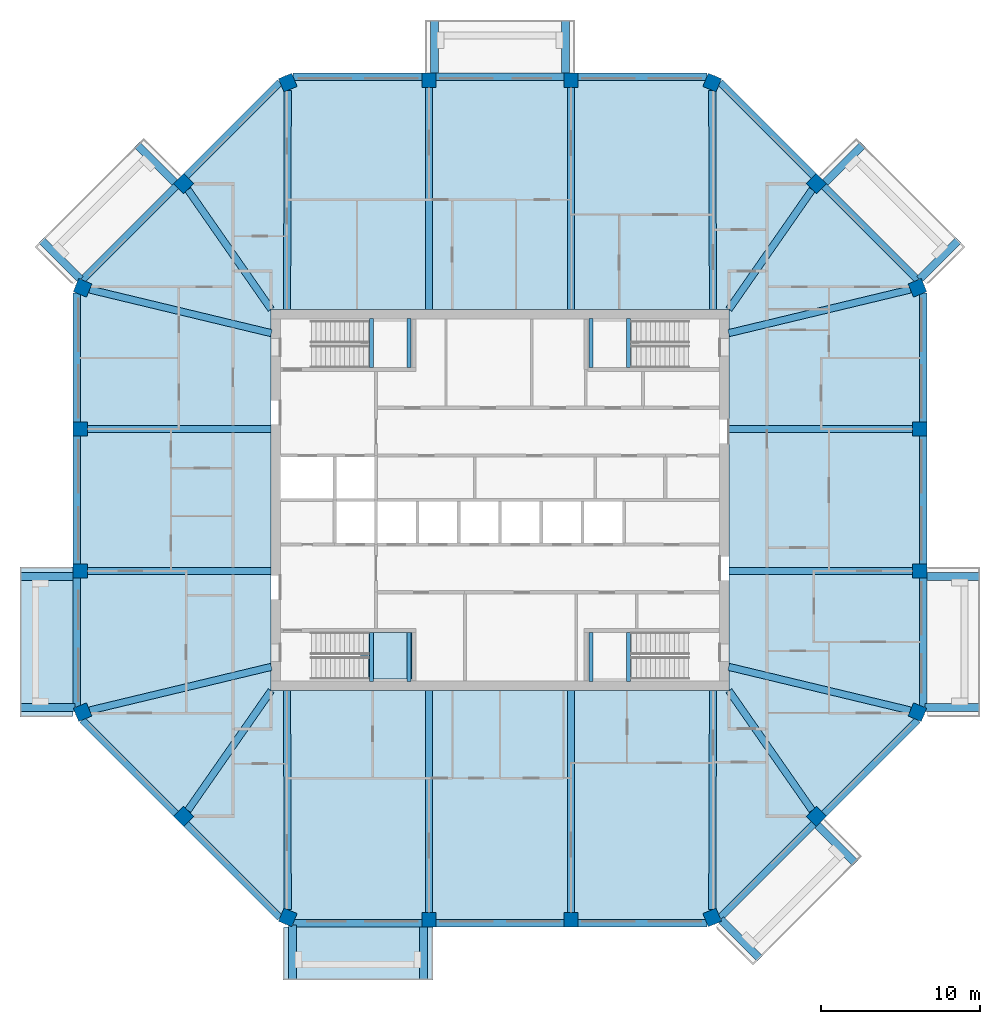
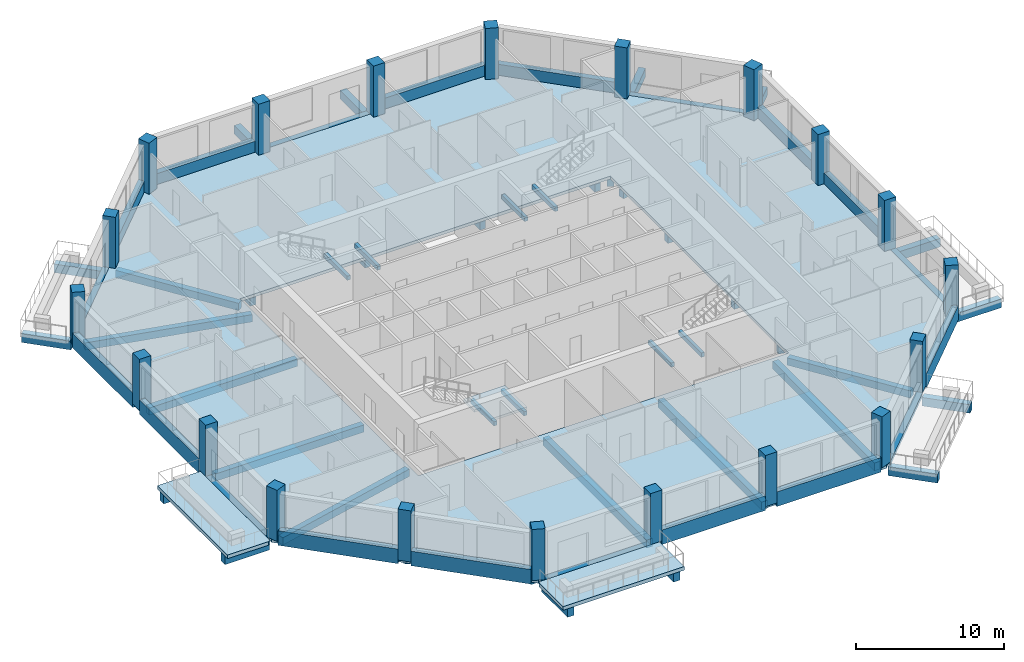
# One storey, part 1 of 11: 62 beams, 20 columns, 4 slabs, 1 element without a shape of its own.
"""IFC4 building model written with IfcOpenShell, lengths in metres."""

from ifc_helpers import new_model, si_unit, direction, frame, origin, origin_2d, place, context, subcontext, project, spatial, polyline, rectangle, outline, extrude, material, layer, layer_set, material_profile, profile_set, type_object, element, aggregate, save


model = new_model("IFC4")

# Units and contexts
model_context = context("Model", 3, precision=1e-05, world=origin(), true_north=direction((0.0, 1.0)))
body_context = subcontext(model_context, "Body", "Model", "MODEL_VIEW")
ifc_project = project(units=[si_unit("LENGTHUNIT", "METRE"), si_unit("AREAUNIT", "SQUARE_METRE"), si_unit("VOLUMEUNIT", "CUBIC_METRE"), si_unit("PLANEANGLEUNIT", "RADIAN"), si_unit("MASSUNIT", "GRAM", prefix="KILO")], contexts=[model_context])

# Site, building, storey
site_placement = place(None, origin())
site = spatial("IfcSite", under=ifc_project, at=site_placement, CompositionType="ELEMENT")
building_placement = place(site_placement, origin())
building = spatial("IfcBuilding", under=site, at=building_placement, Name="Msitu Wima Residences", CompositionType="ELEMENT")
storey_placement = place(building_placement, frame((0.0, 0.0, 293.699951171875)))
storey = spatial("IfcBuildingStorey", under=building, at=storey_placement, Name="L68", CompositionType="ELEMENT", Elevation=293.699951171875)

# Columns
ifc_material_1 = material(Name="Concrete C50/60", Category="concrete")
ifc_material_profile_1 = material_profile(ifc_material_1, rectangle(XDim=0.89990234375, YDim=0.89990234375, at=origin_2d()), Name="RC 900x900")
ifc_profile_set_1 = profile_set([ifc_material_profile_1], Name="Concrete C50/60")
column_type = type_object("IfcColumnType", Name="Column RC 900x900 Concrete C50/60", PredefinedType="COLUMN", material=ifc_profile_set_1)
for number, where, z_axis, x_axis, name in (
    (1, (26.261962890625, -13.3486328125, 0.0), (0.0, 0.0, 1.0), (0.382683496864, 0.923879505795, 0.0), "Column L68 C-E0"),
    (2, (26.39990234375, -4.46875, 0.0), (0.0, 0.0, 1.0), (0.0, 1.0, 0.0), "Column L68 C-E1"),
    (3, (26.39990234375, 4.46875, 0.0), (0.0, 0.0, 1.0), (0.0, 1.0, 0.0), "Column L68 C-E2"),
    (4, (26.261962890625, 13.3486328125, 0.0), (0.0, 0.0, 1.0), (-0.382683496864, 0.923879505795, 0.0), "Column L68 C-NE0"),
    (5, (19.90283203125, 19.90283203125, 0.0), (0.0, 0.0, 1.0), (-0.707106781187, 0.707106781187, 0.0), "Column L68 C-NE1"),
    (6, (13.3486328125, 26.261962890625, 0.0), (0.0, 0.0, 1.0), (-0.923879505795, 0.382683496864, 0.0), "Column L68 C-N0"),
    (7, (4.46875, 26.39990234375, 0.0), (0.0, 0.0, 1.0), (-1.0, 0.0, 0.0), "Column L68 C-N1"),
    (8, (-4.46875, 26.39990234375, 0.0), (0.0, 0.0, 1.0), (-1.0, 0.0, 0.0), "Column L68 C-N2"),
    (9, (-13.3486328125, 26.261962890625, 0.0), (0.0, 0.0, 1.0), (-0.923879505795, -0.382683496864, 0.0), "Column L68 C-NW0"),
    (10, (-19.90283203125, 19.90283203125, 0.0), (0.0, 0.0, 1.0), (-0.707106781187, -0.707106781187, 0.0), "Column L68 C-NW1"),
    (11, (-26.261962890625, 13.3486328125, 0.0), (0.0, 0.0, 1.0), (-0.382683496864, -0.923879505795, 0.0), "Column L68 C-W0"),
    (12, (-26.39990234375, 4.46875, 0.0), (0.0, 0.0, 1.0), (0.0, -1.0, 0.0), "Column L68 C-W1"),
    (13, (-26.39990234375, -4.46875, 0.0), (0.0, 0.0, 1.0), (0.0, -1.0, 0.0), "Column L68 C-W2"),
    (14, (-26.261962890625, -13.3486328125, 0.0), (0.0, 0.0, 1.0), (0.382683496864, -0.923879505795, 0.0), "Column L68 C-SW0"),
    (15, (-19.90283203125, -19.90283203125, 0.0), (0.0, 0.0, 1.0), (0.707106781187, -0.707106781187, 0.0), "Column L68 C-SW1"),
    (16, (-13.3486328125, -26.261962890625, 0.0), (0.0, 0.0, 1.0), (0.923879505795, -0.382683496864, 0.0), "Column L68 C-S0"),
    (17, (-4.46875, -26.39990234375, 0.0), (0.0, 0.0, 1.0), (1.0, 0.0, 0.0), "Column L68 C-S1"),
    (18, (4.46875, -26.39990234375, 0.0), (0.0, 0.0, 1.0), (1.0, 0.0, 0.0), "Column L68 C-S2"),
    (19, (13.3486328125, -26.261962890625, 0.0), (0.0, 0.0, 1.0), (0.923879505795, 0.382683496864, 0.0), "Column L68 C-SE0"),
    (20, (19.90283203125, -19.90283203125, 0.0), (0.0, 0.0, 1.0), (0.707106781187, 0.707106781187, 0.0), "Column L68 C-SE1"),
):
    element("IfcColumn", number, at=place(storey_placement, frame(where, z_axis=z_axis, x_axis=x_axis)), inside=storey, type_object=column_type, Name=name, PredefinedType="COLUMN", context=body_context, shape_type="SweptSolid", body=[
        extrude(rectangle(XDim=0.89990234375, YDim=0.89990234375, at=origin_2d()), origin(), (0.0, 0.0, 1.0), 4.199951171875),
    ])

# Beams
ifc_material_profile_2 = material_profile(ifc_material_1, rectangle(XDim=0.449951171875, YDim=0.60009765625, at=origin_2d()), Name="RC 450x600")
ifc_profile_set_2 = profile_set([ifc_material_profile_2], Name="Concrete C50/60")
beam_type_1 = type_object("IfcBeamType", Name="Beam RC 450x600 Concrete C50/60", PredefinedType="BEAM", material=ifc_profile_set_2)
beam_1_placement = place(storey_placement, frame((25.819091796875, -13.242431640625, -0.550048828125), z_axis=(-0.972353359268, 0.233514335148, 0.0), x_axis=(-0.233514335148, -0.972353359268, 0.0)))
element("IfcBeam", 21, at=beam_1_placement, inside=storey, type_object=beam_type_1, Name="Beam L68 C-E0", PredefinedType="BEAM", context=body_context, shape_type="SweptSolid", body=[
    extrude(rectangle(XDim=0.449951171875, YDim=0.60009765625, at=origin_2d()), origin(), (0.0, 0.0, 1.0), 11.755615234375),
])
for number, where, z_axis, x_axis, name in (
    (22, (25.949951171875, -4.46875, -0.550048828125), (-1.0, 0.0, 0.0), (0.0, -1.0, 0.0), "Beam L68 C-E1"),
    (23, (25.949951171875, 4.46875, -0.550048828125), (-1.0, 0.0, 0.0), (0.0, -1.0, 0.0), "Beam L68 C-E2"),
):
    element("IfcBeam", number, at=place(storey_placement, frame(where, z_axis=z_axis, x_axis=x_axis)), inside=storey, type_object=beam_type_1, Name=name, PredefinedType="BEAM", context=body_context, shape_type="SweptSolid", body=[
        extrude(rectangle(XDim=0.449951171875, YDim=0.60009765625, at=origin_2d()), origin(), (0.0, 0.0, 1.0), 11.550048828125),
    ])
beam_2_placement = place(storey_placement, frame((25.819091796875, 13.242431640625, -0.550048828125), z_axis=(-0.972353359268, -0.233514335148, 0.0), x_axis=(0.233514335148, -0.972353359268, 0.0)))
element("IfcBeam", 24, at=beam_2_placement, inside=storey, type_object=beam_type_1, Name="Beam L68 C-NE0", PredefinedType="BEAM", context=body_context, shape_type="SweptSolid", body=[
    extrude(rectangle(XDim=0.449951171875, YDim=0.60009765625, at=origin_2d()), origin(), (0.0, 0.0, 1.0), 11.755615234375),
])
for number, where, z_axis, x_axis, name in (
    (25, (19.6416015625, 19.52783203125, -0.550048828125), (-0.571427822633, -0.820652328042, 0.0), (0.820652328042, -0.571427822633, 0.0), "Beam L68 C-NE1"),
    (26, (-19.6416015625, 19.52783203125, -0.550048828125), (0.571427822633, -0.820652328042, 0.0), (0.820652328042, 0.571427822633, 0.0), "Beam L68 C-NW1"),
):
    element("IfcBeam", number, at=place(storey_placement, frame(where, z_axis=z_axis, x_axis=x_axis)), inside=storey, type_object=beam_type_1, Name=name, PredefinedType="BEAM", context=body_context, shape_type="SweptSolid", body=[
        extrude(rectangle(XDim=0.449951171875, YDim=0.60009765625, at=origin_2d()), origin(), (0.0, 0.0, 1.0), 9.173095703125),
    ])
beam_3_placement = place(storey_placement, frame((-25.819091796875, 13.242431640625, -0.550048828125), z_axis=(0.972353359268, -0.233514335148, 0.0), x_axis=(0.233514335148, 0.972353359268, 0.0)))
element("IfcBeam", 27, at=beam_3_placement, inside=storey, type_object=beam_type_1, Name="Beam L68 C-W0", PredefinedType="BEAM", context=body_context, shape_type="SweptSolid", body=[
    extrude(rectangle(XDim=0.449951171875, YDim=0.60009765625, at=origin_2d()), origin(), (0.0, 0.0, 1.0), 11.755615234375),
])
for number, where, z_axis, x_axis, name in (
    (28, (-25.949951171875, 4.46875, -0.550048828125), (1.0, 0.0, 0.0), (0.0, 1.0, 0.0), "Beam L68 C-W1"),
    (29, (-25.949951171875, -4.46875, -0.550048828125), (1.0, 0.0, 0.0), (0.0, 1.0, 0.0), "Beam L68 C-W2"),
):
    element("IfcBeam", number, at=place(storey_placement, frame(where, z_axis=z_axis, x_axis=x_axis)), inside=storey, type_object=beam_type_1, Name=name, PredefinedType="BEAM", context=body_context, shape_type="SweptSolid", body=[
        extrude(rectangle(XDim=0.449951171875, YDim=0.60009765625, at=origin_2d()), origin(), (0.0, 0.0, 1.0), 11.550048828125),
    ])
beam_4_placement = place(storey_placement, frame((-25.819091796875, -13.242431640625, -0.550048828125), z_axis=(0.972353359268, 0.233514335148, 0.0), x_axis=(-0.233514335148, 0.972353359268, 0.0)))
element("IfcBeam", 30, at=beam_4_placement, inside=storey, type_object=beam_type_1, Name="Beam L68 C-SW0", PredefinedType="BEAM", context=body_context, shape_type="SweptSolid", body=[
    extrude(rectangle(XDim=0.449951171875, YDim=0.60009765625, at=origin_2d()), origin(), (0.0, 0.0, 1.0), 11.755615234375),
])
for number, where, z_axis, x_axis, name in (
    (31, (-19.6416015625, -19.52783203125, -0.550048828125), (0.571427822633, 0.820652328042, 0.0), (-0.820652328042, 0.571427822633, 0.0), "Beam L68 C-SW1"),
    (32, (19.6416015625, -19.52783203125, -0.550048828125), (-0.571427822633, 0.820652328042, 0.0), (-0.820652328042, -0.571427822633, 0.0), "Beam L68 C-SE1"),
):
    element("IfcBeam", number, at=place(storey_placement, frame(where, z_axis=z_axis, x_axis=x_axis)), inside=storey, type_object=beam_type_1, Name=name, PredefinedType="BEAM", context=body_context, shape_type="SweptSolid", body=[
        extrude(rectangle(XDim=0.449951171875, YDim=0.60009765625, at=origin_2d()), origin(), (0.0, 0.0, 1.0), 9.173095703125),
    ])
ifc_material_profile_3 = material_profile(ifc_material_1, rectangle(XDim=0.449951171875, YDim=0.64990234375, at=origin_2d()), Name="RC 450x650")
ifc_profile_set_3 = profile_set([ifc_material_profile_3], Name="Concrete C50/60")
beam_type_2 = type_object("IfcBeamType", Name="Beam RC 450x650 Concrete C50/60", PredefinedType="BEAM", material=ifc_profile_set_3)
beam_5_placement = place(storey_placement, frame((13.3505859375, 25.774169921875, -0.574951171875), z_axis=(0.003594933206, -0.999993538207, 0.0), x_axis=(0.999993538207, 0.003594933206, 0.0)))
element("IfcBeam", 33, at=beam_5_placement, inside=storey, type_object=beam_type_2, Name="Beam L68 C-N0", PredefinedType="BEAM", context=body_context, shape_type="SweptSolid", body=[
    extrude(rectangle(XDim=0.449951171875, YDim=0.64990234375, at=origin_2d()), origin(), (0.0, 0.0, 1.0), 13.7861328125),
])
for number, where, z_axis, x_axis, name in (
    (34, (4.46875, 25.949951171875, -0.574951171875), (0.0, -1.0, 0.0), (1.0, 0.0, 0.0), "Beam L68 C-N1"),
    (35, (-4.46875, 25.949951171875, -0.574951171875), (0.0, -1.0, 0.0), (1.0, 0.0, 0.0), "Beam L68 C-N2"),
):
    element("IfcBeam", number, at=place(storey_placement, frame(where, z_axis=z_axis, x_axis=x_axis)), inside=storey, type_object=beam_type_2, Name=name, PredefinedType="BEAM", context=body_context, shape_type="SweptSolid", body=[
        extrude(rectangle(XDim=0.449951171875, YDim=0.64990234375, at=origin_2d()), origin(), (0.0, 0.0, 1.0), 13.949951171875),
    ])
for number, where, z_axis, x_axis, name in (
    (36, (-13.3505859375, 25.774169921875, -0.574951171875), (-0.003594933206, -0.999993538207, 0.0), (0.999993538207, -0.003594933206, 0.0), "Beam L68 C-NW0"),
    (37, (-13.3505859375, -25.774169921875, -0.574951171875), (-0.003594933206, 0.999993538207, 0.0), (-0.999993538207, -0.003594933206, 0.0), "Beam L68 C-S0"),
):
    element("IfcBeam", number, at=place(storey_placement, frame(where, z_axis=z_axis, x_axis=x_axis)), inside=storey, type_object=beam_type_2, Name=name, PredefinedType="BEAM", context=body_context, shape_type="SweptSolid", body=[
        extrude(rectangle(XDim=0.449951171875, YDim=0.64990234375, at=origin_2d()), origin(), (0.0, 0.0, 1.0), 13.7861328125),
    ])
for number, where, z_axis, x_axis, name in (
    (38, (-4.46875, -25.949951171875, -0.574951171875), (0.0, 1.0, 0.0), (-1.0, 0.0, 0.0), "Beam L68 C-S1"),
    (39, (4.46875, -25.949951171875, -0.574951171875), (0.0, 1.0, 0.0), (-1.0, 0.0, 0.0), "Beam L68 C-S2"),
):
    element("IfcBeam", number, at=place(storey_placement, frame(where, z_axis=z_axis, x_axis=x_axis)), inside=storey, type_object=beam_type_2, Name=name, PredefinedType="BEAM", context=body_context, shape_type="SweptSolid", body=[
        extrude(rectangle(XDim=0.449951171875, YDim=0.64990234375, at=origin_2d()), origin(), (0.0, 0.0, 1.0), 13.949951171875),
    ])
beam_6_placement = place(storey_placement, frame((13.3505859375, -25.774169921875, -0.574951171875), z_axis=(0.003594933206, 0.999993538207, 0.0), x_axis=(-0.999993538207, 0.003594933206, 0.0)))
element("IfcBeam", 40, at=beam_6_placement, inside=storey, type_object=beam_type_2, Name="Beam L68 C-SE0", PredefinedType="BEAM", context=body_context, shape_type="SweptSolid", body=[
    extrude(rectangle(XDim=0.449951171875, YDim=0.64990234375, at=origin_2d()), origin(), (0.0, 0.0, 1.0), 13.7861328125),
])
ifc_material_profile_4 = material_profile(ifc_material_1, rectangle(XDim=0.5, YDim=0.699951171875, at=origin_2d()), Name="RC 500x700")
ifc_profile_set_4 = profile_set([ifc_material_profile_4], Name="Concrete C50/60")
beam_type_3 = type_object("IfcBeamType", Name="Cantilever beam RC 500x700 Concrete C50/60", PredefinedType="BEAM", material=ifc_profile_set_4)
beam_7_placement = place(storey_placement, frame((26.73095703125, -13.055908203125, -0.64990234375), z_axis=(1.0, 0.0, 0.0), x_axis=(0.0, 1.0, 0.0)))
element("IfcBeam", 41, at=beam_7_placement, inside=storey, type_object=beam_type_3, Name="Cantilever beam L68 BA-E0 A", PredefinedType="BEAM", context=body_context, shape_type="SweptSolid", body=[
    extrude(rectangle(XDim=0.5, YDim=0.699951171875, at=origin_2d()), origin(), (0.0, 0.0, 1.0), 3.468994140625),
])
beam_8_placement = place(storey_placement, frame((26.85009765625, -4.818603515625, -0.64990234375), z_axis=(1.0, 0.0, 0.0), x_axis=(0.0, 1.0, 0.0)))
element("IfcBeam", 42, at=beam_8_placement, inside=storey, type_object=beam_type_3, Name="Cantilever beam L68 BA-E0 B", PredefinedType="BEAM", context=body_context, shape_type="SweptSolid", body=[
    extrude(rectangle(XDim=0.5, YDim=0.699951171875, at=origin_2d()), origin(), (0.0, 0.0, 1.0), 3.349853515625),
])
beam_9_placement = place(storey_placement, frame((26.386474609375, 13.887451171875, -0.64990234375), z_axis=(0.707141968506, 0.707071592116, 0.0), x_axis=(-0.707071592116, 0.707141968506, 0.0)))
element("IfcBeam", 43, at=beam_9_placement, inside=storey, type_object=beam_type_3, Name="Cantilever beam L68 BA-NE0 A", PredefinedType="BEAM", context=body_context, shape_type="SweptSolid", body=[
    extrude(rectangle(XDim=0.5, YDim=0.699951171875, at=origin_2d()), origin(), (0.0, 0.0, 1.0), 3.468994140625),
])
for number, where, z_axis, x_axis, name in (
    (44, (20.46875, 19.9736328125, -0.64990234375), (0.707070340836, 0.707143219659, 0.0), (-0.707143219659, 0.707070340836, 0.0), "Cantilever beam L68 BA-NE0 B"),
    (45, (4.11865234375, 26.85009765625, -0.64990234375), (0.0, 1.0, 0.0), (-1.0, 0.0, 0.0), "Cantilever beam L68 BA-N1 A"),
    (46, (-4.11865234375, 26.85009765625, -0.64990234375), (0.0, 1.0, 0.0), (-1.0, 0.0, 0.0), "Cantilever beam L68 BA-N1 B"),
    (47, (-20.46875, 19.9736328125, -0.64990234375), (-0.707070340836, 0.707143219659, 0.0), (-0.707143219659, -0.707070340836, 0.0), "Cantilever beam L68 BA-NW1 A"),
):
    element("IfcBeam", number, at=place(storey_placement, frame(where, z_axis=z_axis, x_axis=x_axis)), inside=storey, type_object=beam_type_3, Name=name, PredefinedType="BEAM", context=body_context, shape_type="SweptSolid", body=[
        extrude(rectangle(XDim=0.5, YDim=0.699951171875, at=origin_2d()), origin(), (0.0, 0.0, 1.0), 3.349853515625),
    ])
beam_10_placement = place(storey_placement, frame((-26.386474609375, 13.887451171875, -0.64990234375), z_axis=(-0.707141968506, 0.707071592116, 0.0), x_axis=(-0.707071592116, -0.707141968506, 0.0)))
element("IfcBeam", 48, at=beam_10_placement, inside=storey, type_object=beam_type_3, Name="Cantilever beam L68 BA-NW1 B", PredefinedType="BEAM", context=body_context, shape_type="SweptSolid", body=[
    extrude(rectangle(XDim=0.5, YDim=0.699951171875, at=origin_2d()), origin(), (0.0, 0.0, 1.0), 3.468994140625),
])
beam_11_placement = place(storey_placement, frame((-26.85009765625, -4.818603515625, -0.64990234375), z_axis=(-1.0, 0.0, 0.0), x_axis=(0.0, -1.0, 0.0)))
element("IfcBeam", 49, at=beam_11_placement, inside=storey, type_object=beam_type_3, Name="Cantilever beam L68 BA-W2 A", PredefinedType="BEAM", context=body_context, shape_type="SweptSolid", body=[
    extrude(rectangle(XDim=0.5, YDim=0.699951171875, at=origin_2d()), origin(), (0.0, 0.0, 1.0), 3.349853515625),
])
for number, where, z_axis, x_axis, name in (
    (50, (-26.73095703125, -13.055908203125, -0.64990234375), (-1.0, 0.0, 0.0), (0.0, -1.0, 0.0), "Cantilever beam L68 BA-W2 B"),
    (51, (-13.055908203125, -26.73095703125, -0.64990234375), (0.0, -1.0, 0.0), (1.0, 0.0, 0.0), "Cantilever beam L68 BA-S0 A"),
):
    element("IfcBeam", number, at=place(storey_placement, frame(where, z_axis=z_axis, x_axis=x_axis)), inside=storey, type_object=beam_type_3, Name=name, PredefinedType="BEAM", context=body_context, shape_type="SweptSolid", body=[
        extrude(rectangle(XDim=0.5, YDim=0.699951171875, at=origin_2d()), origin(), (0.0, 0.0, 1.0), 3.468994140625),
    ])
beam_12_placement = place(storey_placement, frame((-4.818603515625, -26.85009765625, -0.64990234375), z_axis=(0.0, -1.0, 0.0), x_axis=(1.0, 0.0, 0.0)))
element("IfcBeam", 52, at=beam_12_placement, inside=storey, type_object=beam_type_3, Name="Cantilever beam L68 BA-S0 B", PredefinedType="BEAM", context=body_context, shape_type="SweptSolid", body=[
    extrude(rectangle(XDim=0.5, YDim=0.699951171875, at=origin_2d()), origin(), (0.0, 0.0, 1.0), 3.349853515625),
])
beam_13_placement = place(storey_placement, frame((13.887451171875, -26.386474609375, -0.64990234375), z_axis=(0.707071592116, -0.707141968506, 0.0), x_axis=(0.707141968506, 0.707071592116, 0.0)))
element("IfcBeam", 53, at=beam_13_placement, inside=storey, type_object=beam_type_3, Name="Cantilever beam L68 BA-SE0 A", PredefinedType="BEAM", context=body_context, shape_type="SweptSolid", body=[
    extrude(rectangle(XDim=0.5, YDim=0.699951171875, at=origin_2d()), origin(), (0.0, 0.0, 1.0), 3.468994140625),
])
beam_14_placement = place(storey_placement, frame((19.9736328125, -20.46875, -0.64990234375), z_axis=(0.707143219659, -0.707070340836, 0.0), x_axis=(0.707070340836, 0.707143219659, 0.0)))
element("IfcBeam", 54, at=beam_14_placement, inside=storey, type_object=beam_type_3, Name="Cantilever beam L68 BA-SE0 B", PredefinedType="BEAM", context=body_context, shape_type="SweptSolid", body=[
    extrude(rectangle(XDim=0.5, YDim=0.699951171875, at=origin_2d()), origin(), (0.0, 0.0, 1.0), 3.349853515625),
])
ifc_material_profile_5 = material_profile(ifc_material_1, rectangle(XDim=0.449951171875, YDim=0.300048828125, at=origin_2d()), Name="RC 450x300")
ifc_profile_set_5 = profile_set([ifc_material_profile_5], Name="Concrete C50/60")
beam_type_4 = type_object("IfcBeamType", Name="Edge beam RC 450x300 Concrete C50/60", PredefinedType="SPANDREL", material=ifc_profile_set_5)
beam_15_placement = place(storey_placement, frame((26.625, -13.02392578125, -0.14990234375), z_axis=(0.0, 1.0, 0.0), x_axis=(-1.0, 0.0, 0.0)))
element("IfcBeam", 55, at=beam_15_placement, inside=storey, type_object=beam_type_4, Name="Spandrel L68 E0", PredefinedType="SPANDREL", context=body_context, shape_type="SweptSolid", body=[
    extrude(rectangle(XDim=0.449951171875, YDim=0.300048828125, at=origin_2d()), origin(), (0.0, 0.0, 1.0), 8.105224609375),
])
beam_16_placement = place(storey_placement, frame((26.2890625, 13.8349609375, -0.14990234375), z_axis=(-0.707106781187, 0.707106781187, 0.0), x_axis=(-0.707106781187, -0.707106781187, 0.0)))
element("IfcBeam", 56, at=beam_16_placement, inside=storey, type_object=beam_type_4, Name="Spandrel L68 NE0", PredefinedType="SPANDREL", context=body_context, shape_type="SweptSolid", body=[
    extrude(rectangle(XDim=0.449951171875, YDim=0.300048828125, at=origin_2d()), origin(), (0.0, 0.0, 1.0), 8.3564453125),
])
beam_17_placement = place(storey_placement, frame((4.0185546875, 26.625, -0.14990234375), z_axis=(-1.0, 0.0, 0.0), x_axis=(0.0, -1.0, 0.0)))
element("IfcBeam", 57, at=beam_17_placement, inside=storey, type_object=beam_type_4, Name="Spandrel L68 N1", PredefinedType="SPANDREL", context=body_context, shape_type="SweptSolid", body=[
    extrude(rectangle(XDim=0.449951171875, YDim=0.300048828125, at=origin_2d()), origin(), (0.0, 0.0, 1.0), 8.037109375),
])
beam_18_placement = place(storey_placement, frame((-20.380126953125, 19.743896484375, -0.14990234375), z_axis=(-0.707106781187, -0.707106781187, 0.0), x_axis=(0.707106781187, -0.707106781187, 0.0)))
element("IfcBeam", 58, at=beam_18_placement, inside=storey, type_object=beam_type_4, Name="Spandrel L68 NW1", PredefinedType="SPANDREL", context=body_context, shape_type="SweptSolid", body=[
    extrude(rectangle(XDim=0.449951171875, YDim=0.300048828125, at=origin_2d()), origin(), (0.0, 0.0, 1.0), 8.3564453125),
])
for number, where, z_axis, x_axis, name in (
    (59, (-26.625, -4.918701171875, -0.14990234375), (0.0, -1.0, 0.0), (1.0, 0.0, 0.0), "Spandrel L68 W2"),
    (60, (-13.02392578125, -26.625, -0.14990234375), (1.0, 0.0, 0.0), (0.0, 1.0, 0.0), "Spandrel L68 S0"),
):
    element("IfcBeam", number, at=place(storey_placement, frame(where, z_axis=z_axis, x_axis=x_axis)), inside=storey, type_object=beam_type_4, Name=name, PredefinedType="SPANDREL", context=body_context, shape_type="SweptSolid", body=[
        extrude(rectangle(XDim=0.449951171875, YDim=0.300048828125, at=origin_2d()), origin(), (0.0, 0.0, 1.0), 8.105224609375),
    ])
beam_19_placement = place(storey_placement, frame((13.8349609375, -26.2890625, -0.14990234375), z_axis=(0.707106781187, 0.707106781187, 0.0), x_axis=(-0.707106781187, 0.707106781187, 0.0)))
element("IfcBeam", 61, at=beam_19_placement, inside=storey, type_object=beam_type_4, Name="Spandrel L68 SE0", PredefinedType="SPANDREL", context=body_context, shape_type="SweptSolid", body=[
    extrude(rectangle(XDim=0.449951171875, YDim=0.300048828125, at=origin_2d()), origin(), (0.0, 0.0, 1.0), 8.3564453125),
])
ifc_material_2 = material(Name="Concrete C40/50", Category="concrete")
ifc_material_profile_6 = material_profile(ifc_material_2, rectangle(XDim=0.25, YDim=0.35009765625, at=origin_2d()), Name="RC 250x350")
ifc_profile_set_6 = profile_set([ifc_material_profile_6], Name="Concrete C40/50")
beam_type_5 = type_object("IfcBeamType", Name="Landing beam RC 250x350", PredefinedType="BEAM", material=ifc_profile_set_6)
for number, where, z_axis, x_axis, name in (
    (62, (-8.074951171875, 8.324951171875, 1.72509765625), (0.0, 1.0, 0.0), (-1.0, 0.0, 0.0), "Stair 1 landing beam"),
    (63, (-5.72509765625, 8.324951171875, 1.72509765625), (0.0, 1.0, 0.0), (-1.0, 0.0, 0.0), "Stair 1 landing beam"),
    (64, (-8.074951171875, -11.425048828125, 1.72509765625), (0.0, 1.0, 0.0), (-1.0, 0.0, 0.0), "Stair 2 landing beam"),
    (65, (-5.72509765625, -11.425048828125, 1.72509765625), (0.0, 1.0, 0.0), (-1.0, 0.0, 0.0), "Stair 2 landing beam"),
    (66, (8.074951171875, 8.324951171875, 1.72509765625), (0.0, 1.0, 0.0), (-1.0, 0.0, 0.0), "Stair 3 landing beam"),
    (67, (5.72509765625, 8.324951171875, 1.72509765625), (0.0, 1.0, 0.0), (-1.0, 0.0, 0.0), "Stair 3 landing beam"),
    (68, (8.074951171875, -11.425048828125, 1.72509765625), (0.0, 1.0, 0.0), (-1.0, 0.0, 0.0), "Stair 4 landing beam"),
    (69, (5.72509765625, -11.425048828125, 1.72509765625), (0.0, 1.0, 0.0), (-1.0, 0.0, 0.0), "Stair 4 landing beam"),
):
    element("IfcBeam", number, at=place(storey_placement, frame(where, z_axis=z_axis, x_axis=x_axis)), inside=storey, type_object=beam_type_5, Name=name, PredefinedType="BEAM", context=body_context, shape_type="SweptSolid", body=[
        extrude(rectangle(XDim=0.25, YDim=0.35009765625, at=origin_2d()), origin(), (0.0, 0.0, 1.0), 3.10009765625),
    ])
ifc_material_profile_7 = material_profile(ifc_material_1, rectangle(XDim=0.449951171875, YDim=1.199951171875, at=origin_2d()), Name="RC 450x1200")
ifc_profile_set_7 = profile_set([ifc_material_profile_7], Name="Concrete C50/60")
beam_type_6 = type_object("IfcBeamType", Name="Spandrel RC 450x1200 Concrete C50/60", PredefinedType="SPANDREL", material=ifc_profile_set_7)
beam_20_placement = place(storey_placement, frame((26.625, -4.0185546875, 0.300048828125), z_axis=(0.0, 1.0, 0.0), x_axis=(-1.0, 0.0, 0.0)))
element("IfcBeam", 70, at=beam_20_placement, inside=storey, type_object=beam_type_6, Name="Spandrel L68 E1", PredefinedType="SPANDREL", context=body_context, shape_type="SweptSolid", body=[
    extrude(rectangle(XDim=0.449951171875, YDim=1.199951171875, at=origin_2d()), origin(), (0.0, 0.0, 1.0), 8.037109375),
])
beam_21_placement = place(storey_placement, frame((26.625, 4.918701171875, 0.300048828125), z_axis=(0.0, 1.0, 0.0), x_axis=(-1.0, 0.0, 0.0)))
element("IfcBeam", 71, at=beam_21_placement, inside=storey, type_object=beam_type_6, Name="Spandrel L68 E2", PredefinedType="SPANDREL", context=body_context, shape_type="SweptSolid", body=[
    extrude(rectangle(XDim=0.449951171875, YDim=1.199951171875, at=origin_2d()), origin(), (0.0, 0.0, 1.0), 8.105224609375),
])
beam_22_placement = place(storey_placement, frame((19.743896484375, 20.380126953125, 0.300048828125), z_axis=(-0.707106781187, 0.707106781187, 0.0), x_axis=(-0.707106781187, -0.707106781187, 0.0)))
element("IfcBeam", 72, at=beam_22_placement, inside=storey, type_object=beam_type_6, Name="Spandrel L68 NE1", PredefinedType="SPANDREL", context=body_context, shape_type="SweptSolid", body=[
    extrude(rectangle(XDim=0.449951171875, YDim=1.199951171875, at=origin_2d()), origin(), (0.0, 0.0, 1.0), 8.3564453125),
])
for number, where, z_axis, x_axis, name in (
    (73, (13.02392578125, 26.625, 0.300048828125), (-1.0, 0.0, 0.0), (0.0, -1.0, 0.0), "Spandrel L68 N0"),
    (74, (-4.918701171875, 26.625, 0.300048828125), (-1.0, 0.0, 0.0), (0.0, -1.0, 0.0), "Spandrel L68 N2"),
):
    element("IfcBeam", number, at=place(storey_placement, frame(where, z_axis=z_axis, x_axis=x_axis)), inside=storey, type_object=beam_type_6, Name=name, PredefinedType="SPANDREL", context=body_context, shape_type="SweptSolid", body=[
        extrude(rectangle(XDim=0.449951171875, YDim=1.199951171875, at=origin_2d()), origin(), (0.0, 0.0, 1.0), 8.105224609375),
    ])
beam_23_placement = place(storey_placement, frame((-13.8349609375, 26.2890625, 0.300048828125), z_axis=(-0.707106781187, -0.707106781187, 0.0), x_axis=(0.707106781187, -0.707106781187, 0.0)))
element("IfcBeam", 75, at=beam_23_placement, inside=storey, type_object=beam_type_6, Name="Spandrel L68 NW0", PredefinedType="SPANDREL", context=body_context, shape_type="SweptSolid", body=[
    extrude(rectangle(XDim=0.449951171875, YDim=1.199951171875, at=origin_2d()), origin(), (0.0, 0.0, 1.0), 8.3564453125),
])
beam_24_placement = place(storey_placement, frame((-26.625, 13.02392578125, 0.300048828125), z_axis=(0.0, -1.0, 0.0), x_axis=(1.0, 0.0, 0.0)))
element("IfcBeam", 76, at=beam_24_placement, inside=storey, type_object=beam_type_6, Name="Spandrel L68 W0", PredefinedType="SPANDREL", context=body_context, shape_type="SweptSolid", body=[
    extrude(rectangle(XDim=0.449951171875, YDim=1.199951171875, at=origin_2d()), origin(), (0.0, 0.0, 1.0), 8.105224609375),
])
beam_25_placement = place(storey_placement, frame((-26.625, 4.0185546875, 0.300048828125), z_axis=(0.0, -1.0, 0.0), x_axis=(1.0, 0.0, 0.0)))
element("IfcBeam", 77, at=beam_25_placement, inside=storey, type_object=beam_type_6, Name="Spandrel L68 W1", PredefinedType="SPANDREL", context=body_context, shape_type="SweptSolid", body=[
    extrude(rectangle(XDim=0.449951171875, YDim=1.199951171875, at=origin_2d()), origin(), (0.0, 0.0, 1.0), 8.037109375),
])
for number, where, z_axis, x_axis, name in (
    (78, (-26.2890625, -13.8349609375, 0.300048828125), (0.707106781187, -0.707106781187, 0.0), (0.707106781187, 0.707106781187, 0.0), "Spandrel L68 SW0"),
    (79, (-19.743896484375, -20.380126953125, 0.300048828125), (0.707106781187, -0.707106781187, 0.0), (0.707106781187, 0.707106781187, 0.0), "Spandrel L68 SW1"),
):
    element("IfcBeam", number, at=place(storey_placement, frame(where, z_axis=z_axis, x_axis=x_axis)), inside=storey, type_object=beam_type_6, Name=name, PredefinedType="SPANDREL", context=body_context, shape_type="SweptSolid", body=[
        extrude(rectangle(XDim=0.449951171875, YDim=1.199951171875, at=origin_2d()), origin(), (0.0, 0.0, 1.0), 8.3564453125),
    ])
beam_26_placement = place(storey_placement, frame((-4.0185546875, -26.625, 0.300048828125), z_axis=(1.0, 0.0, 0.0), x_axis=(0.0, 1.0, 0.0)))
element("IfcBeam", 80, at=beam_26_placement, inside=storey, type_object=beam_type_6, Name="Spandrel L68 S1", PredefinedType="SPANDREL", context=body_context, shape_type="SweptSolid", body=[
    extrude(rectangle(XDim=0.449951171875, YDim=1.199951171875, at=origin_2d()), origin(), (0.0, 0.0, 1.0), 8.037109375),
])
beam_27_placement = place(storey_placement, frame((4.918701171875, -26.625, 0.300048828125), z_axis=(1.0, 0.0, 0.0), x_axis=(0.0, 1.0, 0.0)))
element("IfcBeam", 81, at=beam_27_placement, inside=storey, type_object=beam_type_6, Name="Spandrel L68 S2", PredefinedType="SPANDREL", context=body_context, shape_type="SweptSolid", body=[
    extrude(rectangle(XDim=0.449951171875, YDim=1.199951171875, at=origin_2d()), origin(), (0.0, 0.0, 1.0), 8.105224609375),
])
beam_28_placement = place(storey_placement, frame((20.380126953125, -19.743896484375, 0.300048828125), z_axis=(0.707106781187, 0.707106781187, 0.0), x_axis=(-0.707106781187, 0.707106781187, 0.0)))
element("IfcBeam", 82, at=beam_28_placement, inside=storey, type_object=beam_type_6, Name="Spandrel L68 SE1", PredefinedType="SPANDREL", context=body_context, shape_type="SweptSolid", body=[
    extrude(rectangle(XDim=0.449951171875, YDim=1.199951171875, at=origin_2d()), origin(), (0.0, 0.0, 1.0), 8.3564453125),
])

# Slabs
ifc_layer_1 = layer(ifc_material_2, 0.300048828125)
ifc_layer_set_1 = layer_set([ifc_layer_1], Name="Concrete C40/50")
slab_type_1 = type_object("IfcSlabType", Name="Balcony slab BS300", PredefinedType="FLOOR", material=ifc_layer_set_1)
slab_1_placement = place(storey_placement, frame((0.0, 0.0, -0.300048828125)))
element("IfcSlab", 83, at=slab_1_placement, inside=storey, type_object=slab_type_1, Name="Balcony W2 L68", PredefinedType="FLOOR", context=body_context, shape_type="SweptSolid", body=[
    extrude(outline(polyline([(-26.85009765625, -13.105224609375), (-26.85009765625, -13.105224609375), (-26.85009765625, -13.105224609375), (-26.85009765625, -13.59228515625), (-27.003662109375, -13.656005859375), (-30.199951171875, -13.656005859375), (-30.199951171875, -4.21875), (-26.85009765625, -4.21875), (-26.85009765625, -4.918701171875), (-26.85009765625, -13.105224609375)])), origin(), (0.0, 0.0, 1.0), 0.300048828125),
])
slab_2_placement = place(storey_placement, frame((0.0, 0.0, -0.300048828125)))
element("IfcSlab", 84, at=slab_2_placement, inside=storey, type_object=slab_type_1, Name="Balcony S0 L68", PredefinedType="FLOOR", context=body_context, shape_type="SweptSolid", body=[
    extrude(outline(polyline([(-13.105224609375, -26.85009765625), (-13.105224609375, -26.85009765625), (-4.918701171875, -26.85009765625), (-4.21875, -26.85009765625), (-4.21875, -30.199951171875), (-13.656005859375, -30.199951171875), (-13.656005859375, -27.003662109375), (-13.59228515625, -26.85009765625), (-13.105224609375, -26.85009765625), (-13.105224609375, -26.85009765625)])), origin(), (0.0, 0.0, 1.0), 0.300048828125),
])
ifc_layer_2 = layer(ifc_material_2, 0.25)
ifc_layer_set_2 = layer_set([ifc_layer_2], Name="Concrete C40/50")
slab_type_2 = type_object("IfcSlabType", Name="PT flat slab 250 Concrete C40/50", PredefinedType="FLOOR", material=ifc_layer_set_2)
slab_3_placement = place(storey_placement, frame((0.0, 0.0, -0.25)))
element("IfcSlab", 85, at=slab_3_placement, inside=storey, type_object=slab_type_2, Name="Floor slab L68", PredefinedType="FLOOR", context=body_context, shape_type="SweptSolid", body=[
    extrude(outline(polyline([(26.699951171875, -13.5302734375), (13.5302734375, -26.699951171875), (-13.5302734375, -26.699951171875), (-26.699951171875, -13.5302734375), (-26.699951171875, 13.5302734375), (-13.5302734375, 26.699951171875), (13.5302734375, 26.699951171875), (26.699951171875, 13.5302734375), (26.699951171875, -13.5302734375)]), holes=[polyline([(-14.39990234375, -12.0), (14.39990234375, -12.0), (14.39990234375, 12.0), (-14.39990234375, 12.0), (-14.39990234375, -12.0)])]), origin(), (0.0, 0.0, 1.0), 0.25),
])

# Stair, slab
stair_type = type_object("IfcStairType", Name="Exit stair ES1615-140", PredefinedType="HALF_TURN_STAIR", material=ifc_material_2)
stair_placement = place(storey_placement, origin())
stair = element("IfcStair", 86, at=stair_placement, inside=storey, type_object=stair_type, Name="Exit stair 2", PredefinedType="HALF_TURN_STAIR")
ifc_layer_3 = layer(ifc_material_2, 0.199951171875)
ifc_layer_set_3 = layer_set([ifc_layer_3], Name="Concrete C40/50")
slab_type_3 = type_object("IfcSlabType", Name="Stair landing SL200", PredefinedType="LANDING", material=ifc_layer_set_3)
slab_4_placement = place(storey_placement, frame((0.0, 0.0, 1.900146484375)))
slab_4 = element("IfcSlab", 87, at=slab_4_placement, type_object=slab_type_3, Name="S2 landing 1", PredefinedType="LANDING", context=body_context, shape_type="SweptSolid", body=[
    extrude(outline(polyline([(-5.52490234375, -11.27490234375), (-8.275390625, -11.27490234375), (-8.275390625, -9.800048828125), (-8.77490234375, -9.800048828125), (-8.77490234375, -8.324951171875), (-5.52490234375, -8.324951171875), (-5.52490234375, -11.27490234375)])), origin(), (0.0, 0.0, 1.0), 0.199951171875),
])
aggregate(stair, [slab_4])

save(model, "model.ifc")
